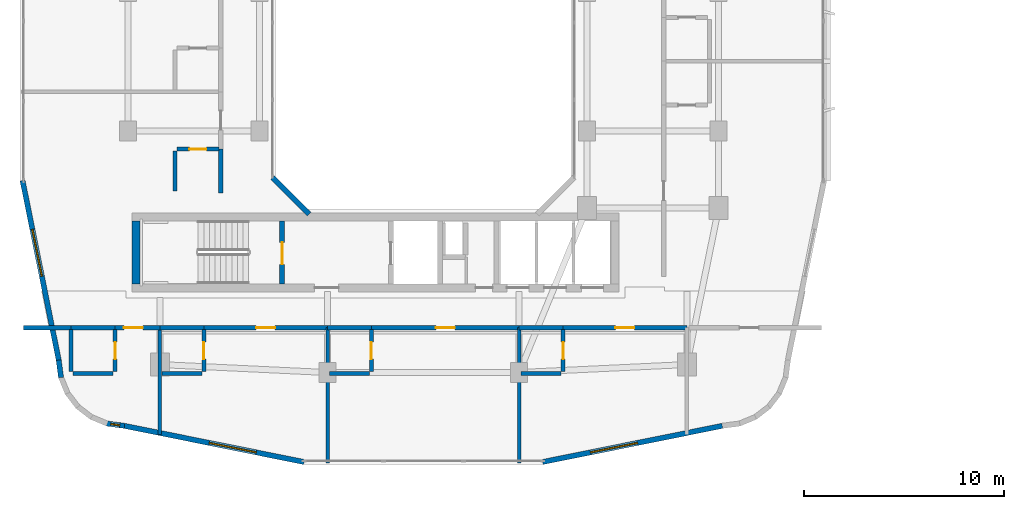
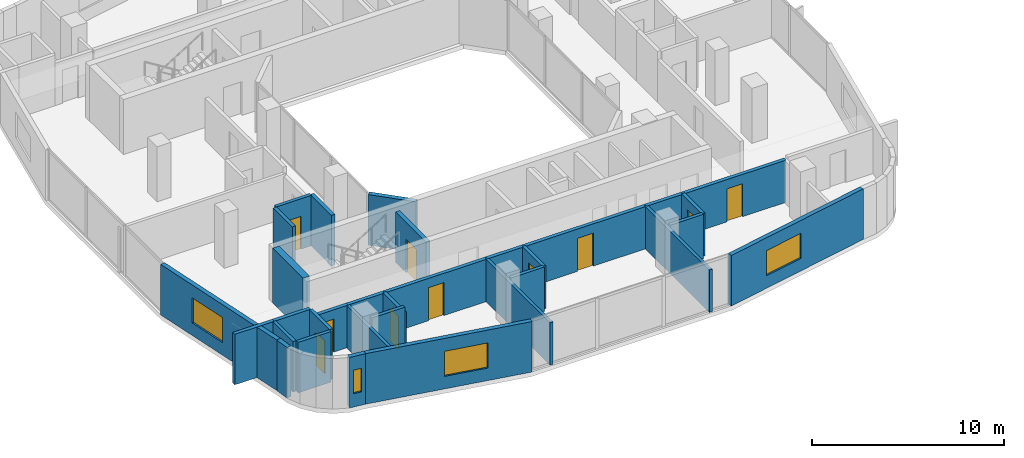
# One storey, part 12 of 26: 32 walls, 10 doors, 4 windows, 14 openings.
"""IFC4 building model written with IfcOpenShell, lengths in metres."""

import ifcopenshell
import ifcopenshell.guid

model = None  # the IFC model being written
_history = None  # IfcOwnerHistory: only IFC2X3 demands one
_inside = {}  # id of a spatial element -> (the spatial element, [elements in it])
_under = {}  # id of a project, library or spatial element -> (it, [spatial elements below it])
_declared = {}  # id of a project -> (the project, [libraries it declares])
_typed = {}  # id of a type object -> (the type object, [elements of that type])
_made_of = {}  # id of a material, layer set ... -> (it, [elements and type objects made of it])


def new_model(schema):
    """Start an empty IFC model of exactly this schema.

    Asked for "IFC4X3", IfcOpenShell would pick the latest addendum, in which some entities
    have other attributes; the version numbers below select the first issue.
    IFC2X3 requires an IfcOwnerHistory on every rooted entity: one is made here for all.
    """
    global model, _history
    if schema == "IFC4X3":
        model = ifcopenshell.file(schema_version=(4, 3, 0, 0))
    else:
        model = ifcopenshell.file(schema=schema)
    _inside.clear()
    _under.clear()
    _declared.clear()
    _typed.clear()
    _made_of.clear()
    _history = None
    if model.schema == "IFC2X3":
        org = make("IfcOrganization", Name="unknown")
        user = make(
            "IfcPersonAndOrganization",
            ThePerson=make("IfcPerson", FamilyName="unknown"),
            TheOrganization=org,
        )
        app = make(
            "IfcApplication",
            ApplicationDeveloper=org,
            Version="unknown",
            ApplicationFullName="unknown",
            ApplicationIdentifier="unknown",
        )
        _history = make(
            "IfcOwnerHistory",
            OwningUser=user,
            OwningApplication=app,
            ChangeAction="ADDED",
            CreationDate=0,
        )
    return model


def make(cls, **values):
    """One entity of the class cls with the attributes given. An attribute that is None is left unset."""
    return model.create_entity(
        cls, **{name: value for name, value in values.items() if value is not None}
    )


def rooted(cls, **values):
    """An entity with a GlobalId (a new one), such as an element, a storey or a relation."""
    return make(cls, GlobalId=ifcopenshell.guid.new(), OwnerHistory=_history, **values)


def si_unit(unit_type, name, prefix=None):
    """IfcSIUnit, for example si_unit("LENGTHUNIT", "METRE", prefix="MILLI")."""
    return make("IfcSIUnit", UnitType=unit_type, Prefix=prefix, Name=name)


def derived_unit(unit_type, elements):
    """IfcDerivedUnit: a product of units, each with its exponent."""
    return make(
        "IfcDerivedUnit",
        Elements=[
            make("IfcDerivedUnitElement", Unit=unit, Exponent=power)
            for unit, power in elements
        ],
        UnitType=unit_type,
    )


def assignment(units):
    """IfcUnitAssignment: the units of a project."""
    return None if units is None else make("IfcUnitAssignment", Units=units)


def point(xyz):
    """IfcCartesianPoint."""
    return None if xyz is None else make("IfcCartesianPoint", Coordinates=xyz)


def direction(xyz):
    """IfcDirection."""
    return None if xyz is None else make("IfcDirection", DirectionRatios=xyz)


def frame(location, z_axis=None, x_axis=None):
    """IfcAxis2Placement3D, a coordinate frame: its origin and axes. An axis left out is left unset."""
    return make(
        "IfcAxis2Placement3D",
        Location=point(location),
        Axis=direction(z_axis),
        RefDirection=direction(x_axis),
    )


def frame_2d(location, x_axis=None):
    """IfcAxis2Placement2D, a coordinate frame in the plane: its origin and x axis."""
    return make(
        "IfcAxis2Placement2D", Location=point(location), RefDirection=direction(x_axis)
    )


def origin():
    """The frame at (0, 0, 0) with its axes left unset."""
    return frame((0.0, 0.0, 0.0))


def place(relative_to, where):
    """IfcLocalPlacement: puts the frame where relative to a parent placement (None: the world)."""
    return make(
        "IfcLocalPlacement", PlacementRelTo=relative_to, RelativePlacement=where
    )


def context(
    kind, dimensions, precision=None, world=None, true_north=None, identifier=None
):
    """IfcGeometricRepresentationContext, for example the 3D "Model" context."""
    return make(
        "IfcGeometricRepresentationContext",
        ContextIdentifier=identifier,
        ContextType=kind,
        CoordinateSpaceDimension=dimensions,
        Precision=precision,
        WorldCoordinateSystem=world,
        TrueNorth=true_north,
    )


def subcontext(parent, identifier, kind, view, scale=None):
    """IfcGeometricRepresentationSubContext, for example "Body" below "Model"."""
    return make(
        "IfcGeometricRepresentationSubContext",
        ContextIdentifier=identifier,
        ContextType=kind,
        ParentContext=parent,
        TargetScale=scale,
        TargetView=view,
    )


def project(units=None, contexts=None):
    """IfcProject with its units and contexts."""
    return rooted(
        "IfcProject",
        Name="project",
        RepresentationContexts=contexts,
        UnitsInContext=assignment(units),
    )


def spatial(cls, under=None, at=None, **own):
    """A site, building, storey or space (cls), placed at a placement, below another one or the project."""
    s = rooted(cls, ObjectPlacement=at, **own)
    if under is not None:
        _under.setdefault(under.id(), (under, []))[1].append(s)
    return s


def profile(cls, at=None, kind="AREA", **sizes):
    """A parametric profile (cls). Its sizes go by their IFC names, for example OverallWidth=200.0."""
    return make(cls, ProfileType=kind, Position=at, **sizes)


def rectangle(**sizes):
    """IfcRectangleProfileDef."""
    return profile("IfcRectangleProfileDef", **sizes)


def extrude(swept, where, along, depth):
    """IfcExtrudedAreaSolid: the profile swept, set in the frame where, extruded along a direction by depth."""
    return make(
        "IfcExtrudedAreaSolid",
        SweptArea=swept,
        Position=where,
        ExtrudedDirection=direction(along),
        Depth=depth,
    )


def shape(context_of_items, identifier, shape_type, items):
    """IfcShapeRepresentation: the items that make up one representation, for example the "Body"."""
    return make(
        "IfcShapeRepresentation",
        ContextOfItems=context_of_items,
        RepresentationIdentifier=identifier,
        RepresentationType=shape_type,
        Items=items,
    )


def material(Name=None, Category=None):
    """IfcMaterial."""
    return make("IfcMaterial", Name=Name, Category=Category)


def layer(
    of_material, thickness, ventilated=None, Name=None, Category=None, Priority=None
):
    """IfcMaterialLayer: one layer of a wall or slab, of a material (None: an air gap)."""
    return make(
        "IfcMaterialLayer",
        Material=of_material,
        LayerThickness=thickness,
        IsVentilated=ventilated,
        Name=Name,
        Category=Category,
        Priority=Priority,
    )


def layer_set(layers, Name=None):
    """IfcMaterialLayerSet."""
    return make("IfcMaterialLayerSet", MaterialLayers=layers, LayerSetName=Name)


def made_of(thing, what):
    """Note that an element or type object is made of a material, layer set ...; save() writes the relation."""
    if what is not None:
        _made_of.setdefault(what.id(), (what, []))[1].append(thing)
    return thing


def type_object(cls, material=None, **own):
    """A type object (cls), such as IfcWallType, which elements share."""
    return made_of(rooted(cls, **own), material)


def element(
    cls,
    number,
    at=None,
    inside=None,
    cuts=None,
    type_object=None,
    material=None,
    context=None,
    identifier="Body",
    shape_type=None,
    held_by="IfcProductDefinitionShape",
    body=None,
    shapes=None,
    **own,
):
    """One element of the class cls, such as IfcWall. Its Tag is "e" and its number.

    at: its placement. inside: the storey or other place that contains it. cuts: it is an
    opening in that element (IfcRelVoidsElement). A single representation is given by context,
    identifier, shape_type and body (its items); several are given by shapes. held_by: the class
    of the entity that holds the representations. save() writes the other relations.
    """
    e = rooted(cls, Tag="e%d" % number, ObjectPlacement=at, **own)
    if body is not None:
        shapes = [shape(context, identifier, shape_type, body)]
    if shapes is not None:
        e.Representation = make(held_by, Representations=shapes)
    if inside is not None:
        _inside.setdefault(inside.id(), (inside, []))[1].append(e)
    if cuts is not None:
        rooted(
            "IfcRelVoidsElement", RelatingBuildingElement=cuts, RelatedOpeningElement=e
        )
    if type_object is not None:
        _typed.setdefault(type_object.id(), (type_object, []))[1].append(e)
    return made_of(e, material)


def fill(opening, filler):
    """IfcRelFillsElement: the door or window that sits in an opening."""
    return rooted(
        "IfcRelFillsElement",
        RelatingOpeningElement=opening,
        RelatedBuildingElement=filler,
    )


def aggregate(whole, parts):
    """IfcRelAggregates: a whole, such as a stair, and the parts it consists of."""
    return rooted("IfcRelAggregates", RelatingObject=whole, RelatedObjects=parts)


def save(model, path):
    """Write the relations noted so far, then the file.

    IfcRelAggregates (storeys below a building ...), IfcRelContainedInSpatialStructure (elements
    in a storey), IfcRelDefinesByType, IfcRelAssociatesMaterial and IfcRelDeclares: one each for
    every whole, place, type object, material and project.
    """
    for whole, parts in _under.values():
        aggregate(whole, parts)
    for where, things in _inside.values():
        rooted(
            "IfcRelContainedInSpatialStructure",
            RelatedElements=things,
            RelatingStructure=where,
        )
    for kind, things in _typed.values():
        rooted("IfcRelDefinesByType", RelatedObjects=things, RelatingType=kind)
    for what, things in _made_of.values():
        rooted("IfcRelAssociatesMaterial", RelatedObjects=things, RelatingMaterial=what)
    for by, libraries in _declared.values():
        rooted("IfcRelDeclares", RelatingContext=by, RelatedDefinitions=libraries)
    model.write(path)


model = new_model("IFC4")

# Units and contexts
model_context = context("Model", 3, precision=1e-05, world=origin(), true_north=direction((0.0, 1.0)))
body_context = subcontext(model_context, "Body", "Model", "MODEL_VIEW")
ifc_project = project(units=[si_unit("LENGTHUNIT", "METRE"), si_unit("AREAUNIT", "SQUARE_METRE"), si_unit("VOLUMEUNIT", "CUBIC_METRE"), si_unit("PLANEANGLEUNIT", "RADIAN"), si_unit("MASSUNIT", "GRAM", prefix="KILO"), derived_unit("THERMALTRANSMITTANCEUNIT", [(si_unit("POWERUNIT", "WATT"), 1), (si_unit("LENGTHUNIT", "METRE"), -2), (si_unit("THERMODYNAMICTEMPERATUREUNIT", "KELVIN"), -1)])], contexts=[model_context])

# Site, building, storey
site_placement = place(None, origin())
site = spatial("IfcSite", under=ifc_project, at=site_placement, CompositionType="ELEMENT")
building_placement = place(site_placement, origin())
building = spatial("IfcBuilding", under=site, at=building_placement, Name="Kivonza Crest Hotel", CompositionType="ELEMENT")
storey_placement = place(building_placement, frame((0.0, 0.0, 127.5)))
storey = spatial("IfcBuildingStorey", under=building, at=storey_placement, Name="L34", CompositionType="ELEMENT", Elevation=127.5)

# Walls
ifc_material_1 = material(Name="High-density acoustic masonry inter-tenancy wall", Category="masonry")
ifc_layer_1 = layer(ifc_material_1, 0.179931640625)
ifc_layer_set_1 = layer_set([ifc_layer_1], Name="High-density acoustic masonry inter-tenancy wall")
wall_type_1 = type_object("IfcWallType", Name="WL-ACOU-180", PredefinedType="SOLIDWALL", material=ifc_layer_set_1)
wall_1_placement = place(storey_placement, frame((7.800048828125, 6.299072265625, 0.0), z_axis=(0.0, 0.0, 1.0), x_axis=(0.0, 1.0, 0.0)))
element("IfcWall", 1, at=wall_1_placement, inside=storey, type_object=wall_type_1, Name="L34 interior partition WA-L34-T1S-DIV1", PredefinedType="SOLIDWALL", context=body_context, shape_type="SweptSolid", body=[
    extrude(rectangle(XDim=5.350830078125, YDim=0.179931640625, at=frame_2d((2.67529296875, 0.0))), origin(), (0.0, 0.0, 1.0), 2.695068359375),
])
for number, where, z_axis, x_axis, name in (
    (2, (16.199951171875, 4.860107421875, 0.0), (0.0, 0.0, 1.0), (0.0, 1.0, 0.0), "L34 interior partition WA-L34-T1S-DIV2"),
    (3, (25.800048828125, 4.860107421875, 0.0), (0.0, 0.0, 1.0), (0.0, 1.0, 0.0), "L34 interior partition WA-L34-T1S-DIV3"),
):
    element("IfcWall", number, at=place(storey_placement, frame(where, z_axis=z_axis, x_axis=x_axis)), inside=storey, type_object=wall_type_1, Name=name, PredefinedType="SOLIDWALL", context=body_context, shape_type="SweptSolid", body=[
        extrude(rectangle(XDim=6.789794921875, YDim=0.179931640625, at=frame_2d((3.39501953125, 0.0))), origin(), (0.0, 0.0, 1.0), 2.695068359375),
    ])
ifc_material_2 = material(Name="Autoclaved aerated concrete blockwork", Category="masonry")
ifc_layer_2 = layer(ifc_material_2, 0.219970703125)
ifc_layer_set_2 = layer_set([ifc_layer_2], Name="Autoclaved aerated concrete blockwork")
wall_type_2 = type_object("IfcWallType", Name="WL-ACOU-220", PredefinedType="SOLIDWALL", material=ifc_layer_set_2)
wall_2_placement = place(storey_placement, frame((0.9599609375, 11.64990234375, 0.0), z_axis=(0.0, 0.0, 1.0), x_axis=(1.0, 0.0, 0.0)))
element("IfcWall", 4, at=wall_2_placement, inside=storey, type_object=wall_type_2, Name="L34 interior partition WA-L34-S04-XCORR", PredefinedType="SOLIDWALL", context=body_context, shape_type="SweptSolid", body=[
    extrude(rectangle(XDim=2.39013671875, YDim=0.219970703125, at=frame_2d((1.195068359375, 0.0))), origin(), (0.0, 0.0, 1.0), 3.219970703125),
])
wall_3_placement = place(storey_placement, frame((3.35009765625, 11.64990234375, 0.0), z_axis=(0.0, 0.0, 1.0), x_axis=(1.0, 0.0, 0.0)))
element("IfcWall", 5, at=wall_3_placement, inside=storey, type_object=wall_type_2, Name="L34 interior partition WA-L34-S04-BCORR", PredefinedType="SOLIDWALL", context=body_context, shape_type="SweptSolid", body=[
    extrude(rectangle(XDim=2.199951171875, YDim=0.219970703125, at=frame_2d((1.10009765625, 0.0))), origin(), (0.0, 0.0, 1.0), 3.219970703125),
])

# Wall, opening, door
wall_4_placement = place(storey_placement, frame((5.550048828125, 11.64990234375, 0.0), z_axis=(0.0, 0.0, 1.0), x_axis=(1.0, 0.0, 0.0)))
wall_4 = element("IfcWall", 6, at=wall_4_placement, inside=storey, type_object=wall_type_2, Name="L34 interior partition WA-L34-S04-MCORR", PredefinedType="SOLIDWALL", context=body_context, shape_type="SweptSolid", body=[
    extrude(rectangle(XDim=2.25, YDim=0.219970703125, at=frame_2d((1.125, 0.0))), origin(), (0.0, 0.0, 1.0), 2.695068359375),
])
opening_1_placement = place(wall_4_placement, frame((0.43994140625, 0.0, 0.0)))
opening_1 = element("IfcOpeningElement", 7, at=opening_1_placement, cuts=wall_4, Name="Opening DU-60", PredefinedType="OPENING", context=body_context, shape_type="SweptSolid", body=[
    extrude(rectangle(XDim=0.949951171875, YDim=2.10009765625, at=frame_2d((0.47509765625, 1.050048828125))), frame((0.0, 0.1201171875, 0.0), z_axis=(0.0, -1.0, 0.0), x_axis=(1.0, 0.0, 0.0)), (0.0, 0.0, 1.0), 0.239990234375),
])
ifc_material_3 = material(Name="Hardwood timber oak", Category="wood")
door_type_1 = type_object("IfcDoorType", Name="DR-UNIT-950", OperationType="NOTDEFINED", PredefinedType="DOOR", material=ifc_material_3)
door_1_placement = place(opening_1_placement, frame((0.949951171875, 0.0, 0.0), z_axis=(0.0, 0.0, 1.0), x_axis=(-1.0, 0.0, 0.0)))
door_1 = element("IfcDoor", 8, at=door_1_placement, inside=storey, type_object=door_type_1, Name="L34 S04 guest unit entrance fire door", OperationType="SINGLE_SWING_RIGHT", OverallHeight=2.10009765625, OverallWidth=0.949951171875, PredefinedType="DOOR", context=body_context, shape_type="SweptSolid", body=[
    extrude(rectangle(XDim=0.949951171875, YDim=2.10009765625, at=frame_2d((0.47509765625, 1.050048828125))), frame((0.0, 0.02490234375, 0.0), z_axis=(0.0, -1.0, 0.0), x_axis=(1.0, 0.0, 0.0)), (0.0, 0.0, 1.0), 0.050048828125),
])
fill(opening_1, door_1)

# Wall
wall_5_placement = place(storey_placement, frame((7.800048828125, 11.64990234375, 0.0), z_axis=(0.0, 0.0, 1.0), x_axis=(1.0, 0.0, 0.0)))
element("IfcWall", 9, at=wall_5_placement, inside=storey, type_object=wall_type_2, Name="L34 interior partition WA-L34-S05-BCORR", PredefinedType="SOLIDWALL", context=body_context, shape_type="SweptSolid", body=[
    extrude(rectangle(XDim=2.199951171875, YDim=0.219970703125, at=frame_2d((1.10009765625, 0.0))), origin(), (0.0, 0.0, 1.0), 2.695068359375),
])

# Wall, opening, door
wall_6_placement = place(storey_placement, frame((10.0, 11.64990234375, 0.0), z_axis=(0.0, 0.0, 1.0), x_axis=(1.0, 0.0, 0.0)))
wall_6 = element("IfcWall", 10, at=wall_6_placement, inside=storey, type_object=wall_type_2, Name="L34 interior partition WA-L34-S05-MCORR", PredefinedType="SOLIDWALL", context=body_context, shape_type="SweptSolid", body=[
    extrude(rectangle(XDim=6.199951171875, YDim=0.219970703125, at=frame_2d((3.10009765625, 0.0))), origin(), (0.0, 0.0, 1.0), 2.695068359375),
])
opening_2_placement = place(wall_6_placement, frame((2.625, 0.0, 0.0)))
opening_2 = element("IfcOpeningElement", 11, at=opening_2_placement, cuts=wall_6, Name="Opening DU-60", PredefinedType="OPENING", context=body_context, shape_type="SweptSolid", body=[
    extrude(rectangle(XDim=0.949951171875, YDim=2.10009765625, at=frame_2d((0.47509765625, 1.050048828125))), frame((0.0, 0.1201171875, 0.0), z_axis=(0.0, -1.0, 0.0), x_axis=(1.0, 0.0, 0.0)), (0.0, 0.0, 1.0), 0.239990234375),
])
door_2_placement = place(opening_2_placement, frame((0.949951171875, 0.0, 0.0), z_axis=(0.0, 0.0, 1.0), x_axis=(-1.0, 0.0, 0.0)))
door_2 = element("IfcDoor", 12, at=door_2_placement, inside=storey, type_object=door_type_1, Name="L34 S05 guest unit entrance fire door", OperationType="SINGLE_SWING_LEFT", OverallHeight=2.10009765625, OverallWidth=0.949951171875, PredefinedType="DOOR", context=body_context, shape_type="SweptSolid", body=[
    extrude(rectangle(XDim=0.949951171875, YDim=2.10009765625, at=frame_2d((0.47509765625, 1.050048828125))), frame((0.0, 0.02490234375, 0.0), z_axis=(0.0, -1.0, 0.0), x_axis=(1.0, 0.0, 0.0)), (0.0, 0.0, 1.0), 0.050048828125),
])
fill(opening_2, door_2)

# Wall
wall_7_placement = place(storey_placement, frame((16.199951171875, 11.64990234375, 0.0), z_axis=(0.0, 0.0, 1.0), x_axis=(1.0, 0.0, 0.0)))
element("IfcWall", 13, at=wall_7_placement, inside=storey, type_object=wall_type_2, Name="L34 interior partition WA-L34-S06-BCORR", PredefinedType="SOLIDWALL", context=body_context, shape_type="SweptSolid", body=[
    extrude(rectangle(XDim=2.199951171875, YDim=0.219970703125, at=frame_2d((1.10009765625, 0.0))), origin(), (0.0, 0.0, 1.0), 2.695068359375),
])

# Wall, opening, door
wall_8_placement = place(storey_placement, frame((18.39990234375, 11.64990234375, 0.0), z_axis=(0.0, 0.0, 1.0), x_axis=(1.0, 0.0, 0.0)))
wall_8 = element("IfcWall", 14, at=wall_8_placement, inside=storey, type_object=wall_type_2, Name="L34 interior partition WA-L34-S06-MCORR", PredefinedType="SOLIDWALL", context=body_context, shape_type="SweptSolid", body=[
    extrude(rectangle(XDim=7.400146484375, YDim=0.219970703125, at=frame_2d((3.7001953125, 0.0))), origin(), (0.0, 0.0, 1.0), 2.695068359375),
])
opening_3_placement = place(wall_8_placement, frame((3.22509765625, 0.0, 0.0)))
opening_3 = element("IfcOpeningElement", 15, at=opening_3_placement, cuts=wall_8, Name="Opening DU-60", PredefinedType="OPENING", context=body_context, shape_type="SweptSolid", body=[
    extrude(rectangle(XDim=0.949951171875, YDim=2.10009765625, at=frame_2d((0.47509765625, 1.050048828125))), frame((0.0, 0.1201171875, 0.0), z_axis=(0.0, -1.0, 0.0), x_axis=(1.0, 0.0, 0.0)), (0.0, 0.0, 1.0), 0.239990234375),
])
door_3_placement = place(opening_3_placement, frame((0.949951171875, 0.0, 0.0), z_axis=(0.0, 0.0, 1.0), x_axis=(-1.0, 0.0, 0.0)))
door_3 = element("IfcDoor", 16, at=door_3_placement, inside=storey, type_object=door_type_1, Name="L34 S06 guest unit entrance fire door", OperationType="SINGLE_SWING_RIGHT", OverallHeight=2.10009765625, OverallWidth=0.949951171875, PredefinedType="DOOR", context=body_context, shape_type="SweptSolid", body=[
    extrude(rectangle(XDim=0.949951171875, YDim=2.10009765625, at=frame_2d((0.47509765625, 1.050048828125))), frame((0.0, 0.02490234375, 0.0), z_axis=(0.0, -1.0, 0.0), x_axis=(1.0, 0.0, 0.0)), (0.0, 0.0, 1.0), 0.050048828125),
])
fill(opening_3, door_3)

# Wall
wall_9_placement = place(storey_placement, frame((25.800048828125, 11.64990234375, 0.0), z_axis=(0.0, 0.0, 1.0), x_axis=(1.0, 0.0, 0.0)))
element("IfcWall", 17, at=wall_9_placement, inside=storey, type_object=wall_type_2, Name="L34 interior partition WA-L34-S07-BCORR", PredefinedType="SOLIDWALL", context=body_context, shape_type="SweptSolid", body=[
    extrude(rectangle(XDim=2.199951171875, YDim=0.219970703125, at=frame_2d((1.10009765625, 0.0))), origin(), (0.0, 0.0, 1.0), 2.695068359375),
])

# Wall, opening, door
wall_10_placement = place(storey_placement, frame((28.0, 11.64990234375, 0.0), z_axis=(0.0, 0.0, 1.0), x_axis=(1.0, 0.0, 0.0)))
wall_10 = element("IfcWall", 18, at=wall_10_placement, inside=storey, type_object=wall_type_2, Name="L34 interior partition WA-L34-S07-MCORR", PredefinedType="SOLIDWALL", context=body_context, shape_type="SweptSolid", body=[
    extrude(rectangle(XDim=6.199951171875, YDim=0.219970703125, at=frame_2d((3.10009765625, 0.0))), origin(), (0.0, 0.0, 1.0), 2.695068359375),
])
opening_4_placement = place(wall_10_placement, frame((2.625, 0.0, 0.0)))
opening_4 = element("IfcOpeningElement", 19, at=opening_4_placement, cuts=wall_10, Name="Opening DU-60", PredefinedType="OPENING", context=body_context, shape_type="SweptSolid", body=[
    extrude(rectangle(XDim=0.949951171875, YDim=2.10009765625, at=frame_2d((0.47509765625, 1.050048828125))), frame((0.0, 0.1201171875, 0.0), z_axis=(0.0, -1.0, 0.0), x_axis=(1.0, 0.0, 0.0)), (0.0, 0.0, 1.0), 0.239990234375),
])
door_4_placement = place(opening_4_placement, frame((0.949951171875, 0.0, 0.0), z_axis=(0.0, 0.0, 1.0), x_axis=(-1.0, 0.0, 0.0)))
door_4 = element("IfcDoor", 20, at=door_4_placement, inside=storey, type_object=door_type_1, Name="L34 S07 guest unit entrance fire door", OperationType="SINGLE_SWING_LEFT", OverallHeight=2.10009765625, OverallWidth=0.949951171875, PredefinedType="DOOR", context=body_context, shape_type="SweptSolid", body=[
    extrude(rectangle(XDim=0.949951171875, YDim=2.10009765625, at=frame_2d((0.47509765625, 1.050048828125))), frame((0.0, 0.02490234375, 0.0), z_axis=(0.0, -1.0, 0.0), x_axis=(1.0, 0.0, 0.0)), (0.0, 0.0, 1.0), 0.050048828125),
])
fill(opening_4, door_4)

# Walls
wall_11_placement = place(storey_placement, frame((10.85009765625, 18.39990234375, 0.0), z_axis=(0.0, 0.0, 1.0), x_axis=(0.0, 1.0, 0.0)))
element("IfcWall", 21, at=wall_11_placement, inside=storey, type_object=wall_type_2, Name="L34 interior partition WA-L34-W08-BCORR", PredefinedType="SOLIDWALL", context=body_context, shape_type="SweptSolid", body=[
    extrude(rectangle(XDim=2.2001953125, YDim=0.219970703125, at=frame_2d((1.10009765625, 0.0))), origin(), (0.0, 0.0, 1.0), 3.219970703125),
])
ifc_material_4 = material(Name="Concrete C50/60", Category="concrete")
ifc_layer_3 = layer(ifc_material_4, 0.39990234375)
ifc_layer_set_3 = layer_set([ifc_layer_3], Name="Concrete C50/60")
wall_type_3 = type_object("IfcWallType", Name="WL-CORE-400", PredefinedType="SHEAR", material=ifc_layer_set_3)
wall_12_placement = place(storey_placement, frame((6.60009765625, 13.840087890625, 0.0), z_axis=(0.0, 0.0, 1.0), x_axis=(0.0, 1.0, 0.0)))
element("IfcWall", 22, at=wall_12_placement, inside=storey, type_object=wall_type_3, Name="Core wall T1-S West L34", PredefinedType="SHEAR", context=body_context, shape_type="SweptSolid", body=[
    extrude(rectangle(XDim=3.159912109375, YDim=0.39990234375, at=frame_2d((1.580078125, 0.0))), origin(), (0.0, 0.0, 1.0), 3.5),
])
ifc_material_5 = material(Name="Precast concrete C40/50", Category="concrete")
ifc_layer_4 = layer(ifc_material_5, 0.260009765625)
ifc_layer_set_4 = layer_set([ifc_layer_4], Name="Precast concrete C40/50")
wall_type_4 = type_object("IfcWallType", Name="WL-EXT-260", PredefinedType="STANDARD", material=ifc_layer_set_4)
wall_13_placement = place(storey_placement, frame((2.72802734375, 10.02490234375, 0.0), z_axis=(0.0, 0.0, 1.0), x_axis=(0.130953706898, -0.991388484223, 0.0)))
element("IfcWall", 23, at=wall_13_placement, inside=storey, type_object=wall_type_4, Name="L34 T1 exterior insulated wall 1", PredefinedType="STANDARD", context=body_context, shape_type="SweptSolid", body=[
    extrude(rectangle(XDim=0.885498046875, YDim=0.260009765625, at=frame_2d((0.44287109375, 0.0))), origin(), (0.0, 0.0, 1.0), 3.219970703125),
])

# Wall, opening, window
wall_14_placement = place(storey_placement, frame((5.112060546875, 6.847900390625, 0.0), z_axis=(0.0, 0.0, 1.0), x_axis=(0.991487658083, -0.130200706103, 0.0)))
wall_14 = element("IfcWall", 24, at=wall_14_placement, inside=storey, type_object=wall_type_4, Name="L34 T1 exterior insulated wall 6", PredefinedType="STANDARD", context=body_context, shape_type="SweptSolid", body=[
    extrude(rectangle(XDim=0.920654296875, YDim=0.260009765625, at=frame_2d((0.46044921875, 0.0))), origin(), (0.0, 0.0, 1.0), 3.219970703125),
])
opening_5_placement = place(wall_14_placement, frame((0.235107421875, 0.0, 0.85009765625)))
opening_5 = element("IfcOpeningElement", 25, at=opening_5_placement, cuts=wall_14, Name="Opening WN-11", PredefinedType="OPENING", context=body_context, shape_type="SweptSolid", body=[
    extrude(rectangle(XDim=0.449951171875, YDim=1.5, at=frame_2d((0.22509765625, 0.75))), frame((0.0, 0.14013671875, 0.0), z_axis=(0.0, -1.0, 0.0), x_axis=(1.0, 0.0, 0.0)), (0.0, 0.0, 1.0), 0.280029296875),
])
ifc_material_6 = material(Name="Thermally broken bronze aluminium and low-E double glazing", Category="aluminium")
window_type_1 = type_object("IfcWindowType", Name="WN-045x150", PartitioningType="SINGLE_PANEL", PredefinedType="WINDOW", material=ifc_material_6)
window_1_placement = place(opening_5_placement, origin())
window_1 = element("IfcWindow", 26, at=window_1_placement, inside=storey, type_object=window_type_1, Name="L34 corner vision window 3", OverallHeight=1.5, OverallWidth=0.449951171875, PartitioningType="SINGLE_PANEL", PredefinedType="WINDOW", context=body_context, shape_type="SweptSolid", body=[
    extrude(rectangle(XDim=0.449951171875, YDim=1.5, at=frame_2d((0.22509765625, 0.75))), frame((0.0, 0.030029296875, 0.0), z_axis=(0.0, -1.0, 0.0), x_axis=(1.0, 0.0, 0.0)), (0.0, 0.0, 1.0), 0.06005859375),
])
fill(opening_5, window_1)

wall_15_placement = place(storey_placement, frame((6.01806640625, 6.72900390625, 0.0), z_axis=(0.0, 0.0, 1.0), x_axis=(0.980315963543, -0.197435082048, 0.0)))
wall_15 = element("IfcWall", 27, at=wall_15_placement, inside=storey, type_object=wall_type_4, Name="L34 T1 exterior insulated wall 7", PredefinedType="STANDARD", context=body_context, shape_type="SweptSolid", body=[
    extrude(rectangle(XDim=9.1826171875, YDim=0.260009765625, at=frame_2d((4.59130859375, 0.0))), origin(), (0.0, 0.0, 1.0), 3.219970703125),
])
opening_6_placement = place(wall_15_placement, frame((4.3369140625, 0.0, 0.800048828125)))
opening_6 = element("IfcOpeningElement", 28, at=opening_6_placement, cuts=wall_15, Name="Opening WN-05", PredefinedType="OPENING", context=body_context, shape_type="SweptSolid", body=[
    extrude(rectangle(XDim=2.39990234375, YDim=1.60009765625, at=frame_2d((1.199951171875, 0.800048828125))), frame((0.0, 0.14013671875, 0.0), z_axis=(0.0, -1.0, 0.0), x_axis=(1.0, 0.0, 0.0)), (0.0, 0.0, 1.0), 0.280029296875),
])
window_type_2 = type_object("IfcWindowType", Name="WN-240x160", PartitioningType="TRIPLE_PANEL_VERTICAL", PredefinedType="WINDOW", material=ifc_material_6)
window_2_placement = place(opening_6_placement, origin())
window_2 = element("IfcWindow", 29, at=window_2_placement, inside=storey, type_object=window_type_2, Name="L34 T1 facade window 7", OverallHeight=1.60009765625, OverallWidth=2.39990234375, PartitioningType="SINGLE_PANEL", PredefinedType="WINDOW", context=body_context, shape_type="SweptSolid", body=[
    extrude(rectangle(XDim=2.39990234375, YDim=1.60009765625, at=frame_2d((1.199951171875, 0.800048828125))), frame((0.0, 0.030029296875, 0.0), z_axis=(0.0, -1.0, 0.0), x_axis=(1.0, 0.0, 0.0)), (0.0, 0.0, 1.0), 0.06005859375),
])
fill(opening_6, window_2)

wall_16_placement = place(storey_placement, frame((26.97998046875, 4.916015625, 0.0), z_axis=(0.0, 0.0, 1.0), x_axis=(0.980315963543, 0.197435082048, 0.0)))
wall_16 = element("IfcWall", 30, at=wall_16_placement, inside=storey, type_object=wall_type_4, Name="L34 T1 exterior insulated wall 9", PredefinedType="STANDARD", context=body_context, shape_type="SweptSolid", body=[
    extrude(rectangle(XDim=9.1826171875, YDim=0.260009765625, at=frame_2d((4.59130859375, 0.0))), origin(), (0.0, 0.0, 1.0), 3.219970703125),
])
opening_7_placement = place(wall_16_placement, frame((2.445068359375, 0.0, 0.800048828125)))
opening_7 = element("IfcOpeningElement", 31, at=opening_7_placement, cuts=wall_16, Name="Opening WN-05", PredefinedType="OPENING", context=body_context, shape_type="SweptSolid", body=[
    extrude(rectangle(XDim=2.39990234375, YDim=1.60009765625, at=frame_2d((1.199951171875, 0.800048828125))), frame((0.0, 0.14013671875, 0.0), z_axis=(0.0, -1.0, 0.0), x_axis=(1.0, 0.0, 0.0)), (0.0, 0.0, 1.0), 0.280029296875),
])
window_3_placement = place(opening_7_placement, origin())
window_3 = element("IfcWindow", 32, at=window_3_placement, inside=storey, type_object=window_type_2, Name="L34 T1 facade window 9", OverallHeight=1.60009765625, OverallWidth=2.39990234375, PartitioningType="SINGLE_PANEL", PredefinedType="WINDOW", context=body_context, shape_type="SweptSolid", body=[
    extrude(rectangle(XDim=2.39990234375, YDim=1.60009765625, at=frame_2d((1.199951171875, 0.800048828125))), frame((0.0, 0.030029296875, 0.0), z_axis=(0.0, -1.0, 0.0), x_axis=(1.0, 0.0, 0.0)), (0.0, 0.0, 1.0), 0.06005859375),
])
fill(opening_7, window_3)

wall_17_placement = place(storey_placement, frame((0.916015625, 19.02001953125, 0.0), z_axis=(0.0, 0.0, 1.0), x_axis=(0.197435082048, -0.980315963543, 0.0)))
wall_17 = element("IfcWall", 33, at=wall_17_placement, inside=storey, type_object=wall_type_4, Name="L34 T1 exterior insulated wall 36", PredefinedType="STANDARD", context=body_context, shape_type="SweptSolid", body=[
    extrude(rectangle(XDim=9.1826171875, YDim=0.260009765625, at=frame_2d((4.59130859375, 0.0))), origin(), (0.0, 0.0, 1.0), 3.219970703125),
])
opening_8_placement = place(wall_17_placement, frame((2.4970703125, 0.0, 0.800048828125)))
opening_8 = element("IfcOpeningElement", 34, at=opening_8_placement, cuts=wall_17, Name="Opening WN-05", PredefinedType="OPENING", context=body_context, shape_type="SweptSolid", body=[
    extrude(rectangle(XDim=2.39990234375, YDim=1.60009765625, at=frame_2d((1.199951171875, 0.800048828125))), frame((0.0, 0.14013671875, 0.0), z_axis=(0.0, -1.0, 0.0), x_axis=(1.0, 0.0, 0.0)), (0.0, 0.0, 1.0), 0.280029296875),
])
window_4_placement = place(opening_8_placement, origin())
window_4 = element("IfcWindow", 35, at=window_4_placement, inside=storey, type_object=window_type_2, Name="L34 T1 facade window 36", OverallHeight=1.60009765625, OverallWidth=2.39990234375, PartitioningType="SINGLE_PANEL", PredefinedType="WINDOW", context=body_context, shape_type="SweptSolid", body=[
    extrude(rectangle(XDim=2.39990234375, YDim=1.60009765625, at=frame_2d((1.199951171875, 0.800048828125))), frame((0.0, 0.030029296875, 0.0), z_axis=(0.0, -1.0, 0.0), x_axis=(1.0, 0.0, 0.0)), (0.0, 0.0, 1.0), 0.06005859375),
])
fill(opening_8, window_4)

# Wall
wall_18_placement = place(storey_placement, frame((13.444091796875, 19.172119140625, 0.0), z_axis=(0.0, 0.0, 1.0), x_axis=(0.707059717605, -0.707153841636, 0.0)))
element("IfcWall", 36, at=wall_18_placement, inside=storey, type_object=wall_type_4, Name="L34 T1 light-well exterior wall 8", PredefinedType="STANDARD", context=body_context, shape_type="SweptSolid", body=[
    extrude(rectangle(XDim=2.59375, YDim=0.260009765625, at=frame_2d((1.296875, 0.0))), origin(), (0.0, 0.0, 1.0), 3.219970703125),
])

# Wall, opening, door
ifc_material_7 = material(Name="Moisture-resistant plumbing chase partition wall", Category="gypsum")
ifc_layer_5 = layer(ifc_material_7, 0.199951171875)
ifc_layer_set_5 = layer_set([ifc_layer_5], Name="Moisture-resistant plumbing chase partition wall")
wall_type_5 = type_object("IfcWallType", Name="WL-PLUMB-200", PredefinedType="PLUMBINGWALL", material=ifc_layer_set_5)
wall_19_placement = place(storey_placement, frame((5.550048828125, 9.449951171875, 0.0), z_axis=(0.0, 0.0, 1.0), x_axis=(0.0, 1.0, 0.0)))
wall_19 = element("IfcWall", 37, at=wall_19_placement, inside=storey, type_object=wall_type_5, Name="L34 interior partition WW-L34-S04-BV", PredefinedType="PLUMBINGWALL", context=body_context, shape_type="SweptSolid", body=[
    extrude(rectangle(XDim=2.10009765625, YDim=0.199951171875, at=frame_2d((1.050048828125, 0.0))), origin(), (0.0, 0.0, 1.0), 3.219970703125),
])
opening_9_placement = place(wall_19_placement, frame((0.625, 0.0, 0.0)))
opening_9 = element("IfcOpeningElement", 38, at=opening_9_placement, cuts=wall_19, Name="Opening DI-85", PredefinedType="OPENING", context=body_context, shape_type="SweptSolid", body=[
    extrude(rectangle(XDim=0.85009765625, YDim=2.10009765625, at=frame_2d((0.425048828125, 1.050048828125))), frame((0.0, 0.10986328125, 0.0), z_axis=(0.0, -1.0, 0.0), x_axis=(1.0, 0.0, 0.0)), (0.0, 0.0, 1.0), 0.219970703125),
])
door_type_2 = type_object("IfcDoorType", Name="DR-INT-850", OperationType="NOTDEFINED", PredefinedType="DOOR", material=ifc_material_3)
door_5_placement = place(opening_9_placement, frame((0.85009765625, 0.0, 0.0), z_axis=(0.0, 0.0, 1.0), x_axis=(-1.0, 0.0, 0.0)))
door_5 = element("IfcDoor", 39, at=door_5_placement, inside=storey, type_object=door_type_2, Name="L34 S04 en-suite bathroom door", OperationType="SINGLE_SWING_LEFT", OverallHeight=2.10009765625, OverallWidth=0.85009765625, PredefinedType="DOOR", context=body_context, shape_type="SweptSolid", body=[
    extrude(rectangle(XDim=0.85009765625, YDim=2.10009765625, at=frame_2d((0.425048828125, 1.050048828125))), frame((0.0, 0.02490234375, 0.0), z_axis=(0.0, -1.0, 0.0), x_axis=(1.0, 0.0, 0.0)), (0.0, 0.0, 1.0), 0.050048828125),
])
fill(opening_9, door_5)

# Walls
wall_20_placement = place(storey_placement, frame((3.449951171875, 9.35009765625, 0.0), z_axis=(0.0, 0.0, 1.0), x_axis=(1.0, 0.0, 0.0)))
element("IfcWall", 40, at=wall_20_placement, inside=storey, type_object=wall_type_5, Name="L34 interior partition WW-L34-S04-BH", PredefinedType="PLUMBINGWALL", context=body_context, shape_type="SweptSolid", body=[
    extrude(rectangle(XDim=2.0, YDim=0.199951171875, at=frame_2d((1.0, 0.0))), origin(), (0.0, 0.0, 1.0), 3.219970703125),
])
wall_21_placement = place(storey_placement, frame((3.35009765625, 9.449951171875, 0.0), z_axis=(0.0, 0.0, 1.0), x_axis=(0.0, 1.0, 0.0)))
element("IfcWall", 41, at=wall_21_placement, inside=storey, type_object=wall_type_5, Name="L34 interior partition WW-L34-S04-BVW", PredefinedType="PLUMBINGWALL", context=body_context, shape_type="SweptSolid", body=[
    extrude(rectangle(XDim=2.10009765625, YDim=0.199951171875, at=frame_2d((1.050048828125, 0.0))), origin(), (0.0, 0.0, 1.0), 3.219970703125),
])

# Wall, opening, door
wall_22_placement = place(storey_placement, frame((10.0, 9.449951171875, 0.0), z_axis=(0.0, 0.0, 1.0), x_axis=(0.0, 1.0, 0.0)))
wall_22 = element("IfcWall", 42, at=wall_22_placement, inside=storey, type_object=wall_type_5, Name="L34 interior partition WW-L34-S05-BV", PredefinedType="PLUMBINGWALL", context=body_context, shape_type="SweptSolid", body=[
    extrude(rectangle(XDim=2.10009765625, YDim=0.199951171875, at=frame_2d((1.050048828125, 0.0))), origin(), (0.0, 0.0, 1.0), 2.7451171875),
])
opening_10_placement = place(wall_22_placement, frame((0.625, 0.0, 0.0)))
opening_10 = element("IfcOpeningElement", 43, at=opening_10_placement, cuts=wall_22, Name="Opening DI-85", PredefinedType="OPENING", context=body_context, shape_type="SweptSolid", body=[
    extrude(rectangle(XDim=0.85009765625, YDim=2.10009765625, at=frame_2d((0.425048828125, 1.050048828125))), frame((0.0, 0.10986328125, 0.0), z_axis=(0.0, -1.0, 0.0), x_axis=(1.0, 0.0, 0.0)), (0.0, 0.0, 1.0), 0.219970703125),
])
door_6_placement = place(opening_10_placement, frame((0.85009765625, 0.0, 0.0), z_axis=(0.0, 0.0, 1.0), x_axis=(-1.0, 0.0, 0.0)))
door_6 = element("IfcDoor", 44, at=door_6_placement, inside=storey, type_object=door_type_2, Name="L34 S05 en-suite bathroom door", OperationType="SINGLE_SWING_RIGHT", OverallHeight=2.10009765625, OverallWidth=0.85009765625, PredefinedType="DOOR", context=body_context, shape_type="SweptSolid", body=[
    extrude(rectangle(XDim=0.85009765625, YDim=2.10009765625, at=frame_2d((0.425048828125, 1.050048828125))), frame((0.0, 0.02490234375, 0.0), z_axis=(0.0, -1.0, 0.0), x_axis=(1.0, 0.0, 0.0)), (0.0, 0.0, 1.0), 0.050048828125),
])
fill(opening_10, door_6)

# Wall
wall_23_placement = place(storey_placement, frame((7.89990234375, 9.35009765625, 0.0), z_axis=(0.0, 0.0, 1.0), x_axis=(1.0, 0.0, 0.0)))
element("IfcWall", 45, at=wall_23_placement, inside=storey, type_object=wall_type_5, Name="L34 interior partition WW-L34-S05-BH", PredefinedType="PLUMBINGWALL", context=body_context, shape_type="SweptSolid", body=[
    extrude(rectangle(XDim=2.0, YDim=0.199951171875, at=frame_2d((1.0, 0.0))), origin(), (0.0, 0.0, 1.0), 3.219970703125),
])

# Wall, opening, door
wall_24_placement = place(storey_placement, frame((18.39990234375, 9.449951171875, 0.0), z_axis=(0.0, 0.0, 1.0), x_axis=(0.0, 1.0, 0.0)))
wall_24 = element("IfcWall", 46, at=wall_24_placement, inside=storey, type_object=wall_type_5, Name="L34 interior partition WW-L34-S06-BV", PredefinedType="PLUMBINGWALL", context=body_context, shape_type="SweptSolid", body=[
    extrude(rectangle(XDim=2.10009765625, YDim=0.199951171875, at=frame_2d((1.050048828125, 0.0))), origin(), (0.0, 0.0, 1.0), 2.7451171875),
])
opening_11_placement = place(wall_24_placement, frame((0.625, 0.0, 0.0)))
opening_11 = element("IfcOpeningElement", 47, at=opening_11_placement, cuts=wall_24, Name="Opening DI-85", PredefinedType="OPENING", context=body_context, shape_type="SweptSolid", body=[
    extrude(rectangle(XDim=0.85009765625, YDim=2.10009765625, at=frame_2d((0.425048828125, 1.050048828125))), frame((0.0, 0.10986328125, 0.0), z_axis=(0.0, -1.0, 0.0), x_axis=(1.0, 0.0, 0.0)), (0.0, 0.0, 1.0), 0.219970703125),
])
door_7_placement = place(opening_11_placement, frame((0.85009765625, 0.0, 0.0), z_axis=(0.0, 0.0, 1.0), x_axis=(-1.0, 0.0, 0.0)))
door_7 = element("IfcDoor", 48, at=door_7_placement, inside=storey, type_object=door_type_2, Name="L34 S06 en-suite bathroom door", OperationType="SINGLE_SWING_LEFT", OverallHeight=2.10009765625, OverallWidth=0.85009765625, PredefinedType="DOOR", context=body_context, shape_type="SweptSolid", body=[
    extrude(rectangle(XDim=0.85009765625, YDim=2.10009765625, at=frame_2d((0.425048828125, 1.050048828125))), frame((0.0, 0.02490234375, 0.0), z_axis=(0.0, -1.0, 0.0), x_axis=(1.0, 0.0, 0.0)), (0.0, 0.0, 1.0), 0.050048828125),
])
fill(opening_11, door_7)

# Wall
wall_25_placement = place(storey_placement, frame((16.300048828125, 9.35009765625, 0.0), z_axis=(0.0, 0.0, 1.0), x_axis=(1.0, 0.0, 0.0)))
element("IfcWall", 49, at=wall_25_placement, inside=storey, type_object=wall_type_5, Name="L34 interior partition WW-L34-S06-BH", PredefinedType="PLUMBINGWALL", context=body_context, shape_type="SweptSolid", body=[
    extrude(rectangle(XDim=2.0, YDim=0.199951171875, at=frame_2d((1.0, 0.0))), origin(), (0.0, 0.0, 1.0), 2.8349609375),
])

# Wall, opening, door
wall_26_placement = place(storey_placement, frame((28.0, 9.449951171875, 0.0), z_axis=(0.0, 0.0, 1.0), x_axis=(0.0, 1.0, 0.0)))
wall_26 = element("IfcWall", 50, at=wall_26_placement, inside=storey, type_object=wall_type_5, Name="L34 interior partition WW-L34-S07-BV", PredefinedType="PLUMBINGWALL", context=body_context, shape_type="SweptSolid", body=[
    extrude(rectangle(XDim=2.10009765625, YDim=0.199951171875, at=frame_2d((1.050048828125, 0.0))), origin(), (0.0, 0.0, 1.0), 2.7451171875),
])
opening_12_placement = place(wall_26_placement, frame((0.625, 0.0, 0.0)))
opening_12 = element("IfcOpeningElement", 51, at=opening_12_placement, cuts=wall_26, Name="Opening DI-85", PredefinedType="OPENING", context=body_context, shape_type="SweptSolid", body=[
    extrude(rectangle(XDim=0.85009765625, YDim=2.10009765625, at=frame_2d((0.425048828125, 1.050048828125))), frame((0.0, 0.10986328125, 0.0), z_axis=(0.0, -1.0, 0.0), x_axis=(1.0, 0.0, 0.0)), (0.0, 0.0, 1.0), 0.219970703125),
])
door_8_placement = place(opening_12_placement, frame((0.85009765625, 0.0, 0.0), z_axis=(0.0, 0.0, 1.0), x_axis=(-1.0, 0.0, 0.0)))
door_8 = element("IfcDoor", 52, at=door_8_placement, inside=storey, type_object=door_type_2, Name="L34 S07 en-suite bathroom door", OperationType="SINGLE_SWING_RIGHT", OverallHeight=2.10009765625, OverallWidth=0.85009765625, PredefinedType="DOOR", context=body_context, shape_type="SweptSolid", body=[
    extrude(rectangle(XDim=0.85009765625, YDim=2.10009765625, at=frame_2d((0.425048828125, 1.050048828125))), frame((0.0, 0.02490234375, 0.0), z_axis=(0.0, -1.0, 0.0), x_axis=(1.0, 0.0, 0.0)), (0.0, 0.0, 1.0), 0.050048828125),
])
fill(opening_12, door_8)

# Wall
wall_27_placement = place(storey_placement, frame((25.89990234375, 9.35009765625, 0.0), z_axis=(0.0, 0.0, 1.0), x_axis=(1.0, 0.0, 0.0)))
element("IfcWall", 53, at=wall_27_placement, inside=storey, type_object=wall_type_5, Name="L34 interior partition WW-L34-S07-BH", PredefinedType="PLUMBINGWALL", context=body_context, shape_type="SweptSolid", body=[
    extrude(rectangle(XDim=2.0, YDim=0.199951171875, at=frame_2d((1.0, 0.0))), origin(), (0.0, 0.0, 1.0), 2.8349609375),
])

# Wall, opening, door
wall_28_placement = place(storey_placement, frame((8.64990234375, 20.60009765625, 0.0), z_axis=(0.0, 0.0, 1.0), x_axis=(1.0, 0.0, 0.0)))
wall_28 = element("IfcWall", 54, at=wall_28_placement, inside=storey, type_object=wall_type_5, Name="L34 interior partition WW-L34-W08-BH", PredefinedType="PLUMBINGWALL", context=body_context, shape_type="SweptSolid", body=[
    extrude(rectangle(XDim=2.10009765625, YDim=0.199951171875, at=frame_2d((1.050048828125, 0.0))), origin(), (0.0, 0.0, 1.0), 3.219970703125),
])
opening_13_placement = place(wall_28_placement, frame((0.625, 0.0, 0.0)))
opening_13 = element("IfcOpeningElement", 55, at=opening_13_placement, cuts=wall_28, Name="Opening DI-85", PredefinedType="OPENING", context=body_context, shape_type="SweptSolid", body=[
    extrude(rectangle(XDim=0.85009765625, YDim=2.10009765625, at=frame_2d((0.425048828125, 1.050048828125))), frame((0.0, 0.10986328125, 0.0), z_axis=(0.0, -1.0, 0.0), x_axis=(1.0, 0.0, 0.0)), (0.0, 0.0, 1.0), 0.219970703125),
])
door_9_placement = place(opening_13_placement, origin())
door_9 = element("IfcDoor", 56, at=door_9_placement, inside=storey, type_object=door_type_2, Name="L34 W08 en-suite bathroom door", OperationType="SINGLE_SWING_LEFT", OverallHeight=2.10009765625, OverallWidth=0.85009765625, PredefinedType="DOOR", context=body_context, shape_type="SweptSolid", body=[
    extrude(rectangle(XDim=0.85009765625, YDim=2.10009765625, at=frame_2d((0.425048828125, 1.050048828125))), frame((0.0, 0.02490234375, 0.0), z_axis=(0.0, -1.0, 0.0), x_axis=(1.0, 0.0, 0.0)), (0.0, 0.0, 1.0), 0.050048828125),
])
fill(opening_13, door_9)

# Wall
wall_29_placement = place(storey_placement, frame((8.550048828125, 18.5, 0.0), z_axis=(0.0, 0.0, 1.0), x_axis=(0.0, 1.0, 0.0)))
element("IfcWall", 57, at=wall_29_placement, inside=storey, type_object=wall_type_5, Name="L34 interior partition WW-L34-W08-BV", PredefinedType="PLUMBINGWALL", context=body_context, shape_type="SweptSolid", body=[
    extrude(rectangle(XDim=2.0, YDim=0.199951171875, at=frame_2d((1.0, 0.0))), origin(), (0.0, 0.0, 1.0), 3.219970703125),
])

# Wall, opening, door
ifc_layer_6 = layer(ifc_material_4, 0.25)
ifc_layer_set_6 = layer_set([ifc_layer_6], Name="Concrete C50/60")
wall_type_6 = type_object("IfcWallType", Name="WL-SHAFT-250", PredefinedType="STANDARD", material=ifc_layer_set_6)
wall_30_placement = place(storey_placement, frame((13.925048828125, 13.840087890625, 0.0), z_axis=(0.0, 0.0, 1.0), x_axis=(0.0, 1.0, 0.0)))
wall_30 = element("IfcWall", 58, at=wall_30_placement, inside=storey, type_object=wall_type_6, Name="Core shaft wall T1-S STAIR L34", PredefinedType="STANDARD", context=body_context, shape_type="SweptSolid", body=[
    extrude(rectangle(XDim=3.159912109375, YDim=0.25, at=frame_2d((1.580078125, 0.0))), origin(), (0.0, 0.0, 1.0), 3.219970703125),
])
opening_14_placement = place(wall_30_placement, frame((0.97998046875, 0.0, 0.0)))
opening_14 = element("IfcOpeningElement", 59, at=opening_14_placement, cuts=wall_30, Name="Opening DF-120", PredefinedType="OPENING", context=body_context, shape_type="SweptSolid", body=[
    extrude(rectangle(XDim=1.10009765625, YDim=2.14990234375, at=frame_2d((0.550048828125, 1.074951171875))), frame((0.0, 0.135009765625, 0.0), z_axis=(0.0, -1.0, 0.0), x_axis=(1.0, 0.0, 0.0)), (0.0, 0.0, 1.0), 0.27001953125),
])
ifc_material_8 = material(Name="Galvanised steel", Category="steel")
door_type_3 = type_object("IfcDoorType", Name="DR-FD120-1100", OperationType="NOTDEFINED", PredefinedType="DOOR", material=ifc_material_8)
door_10_placement = place(opening_14_placement, frame((1.10009765625, 0.0, 0.0), z_axis=(0.0, 0.0, 1.0), x_axis=(-1.0, 0.0, 0.0)))
door_10 = element("IfcDoor", 60, at=door_10_placement, inside=storey, type_object=door_type_3, Name="L34 T1-S stair fire door", OperationType="SINGLE_SWING_RIGHT", OverallHeight=2.14990234375, OverallWidth=1.10009765625, PredefinedType="DOOR", context=body_context, shape_type="SweptSolid", body=[
    extrude(rectangle(XDim=1.10009765625, YDim=2.14990234375, at=frame_2d((0.550048828125, 1.074951171875))), frame((0.0, 0.02490234375, 0.0), z_axis=(0.0, -1.0, 0.0), x_axis=(1.0, 0.0, 0.0)), (0.0, 0.0, 1.0), 0.050048828125),
])
fill(opening_14, door_10)

save(model, "model.ifc")
